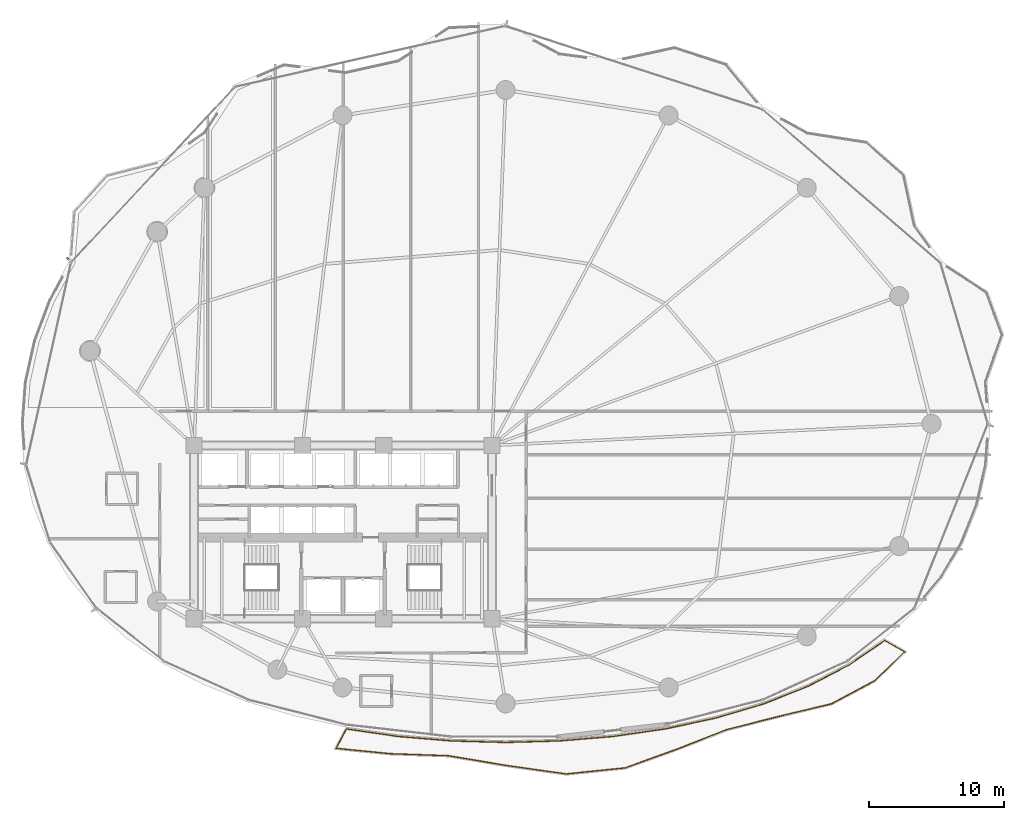
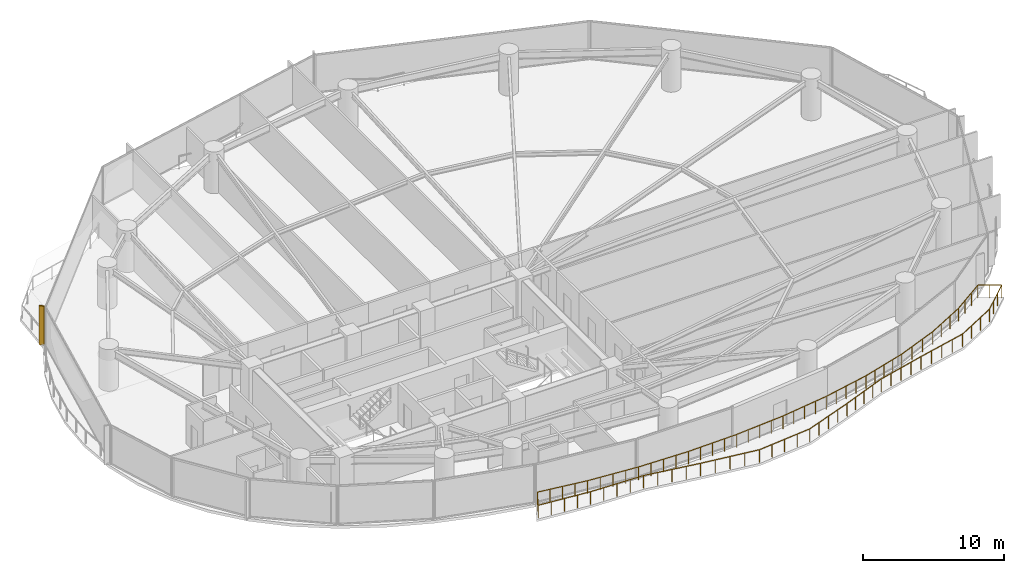
# One storey, part 32 of 34: 1 railing, 1 shading device.
"""IFC4 building model written with IfcOpenShell, lengths in metres."""

from ifc_helpers import new_model, si_unit, direction, frame, origin, origin_2d, place, context, subcontext, project, spatial, rectangle, extrude, material, type_object, element, save


model = new_model("IFC4")

# Units and contexts
model_context = context("Model", 3, precision=1e-05, world=origin(), true_north=direction((0.0, 1.0)))
body_context = subcontext(model_context, "Body", "Model", "MODEL_VIEW")
ifc_project = project(units=[si_unit("LENGTHUNIT", "METRE"), si_unit("AREAUNIT", "SQUARE_METRE"), si_unit("VOLUMEUNIT", "CUBIC_METRE"), si_unit("PLANEANGLEUNIT", "RADIAN"), si_unit("MASSUNIT", "GRAM", prefix="KILO")], contexts=[model_context])

# Site, building, storey
site_placement = place(None, origin())
site = spatial("IfcSite", under=ifc_project, at=site_placement, CompositionType="ELEMENT")
building_placement = place(site_placement, origin())
building = spatial("IfcBuilding", under=site, at=building_placement, Name="Kazevale Care Tower and Concert Hall", CompositionType="ELEMENT")
storey_placement = place(building_placement, frame((0.0, 0.0, 67.199951171875)))
storey = spatial("IfcBuildingStorey", under=building, at=storey_placement, Name="L17", CompositionType="ELEMENT", Elevation=67.199951171875)

# Railing
ifc_material_1 = material(Name="Anodised Bronze Aluminium and Laminated Glass", Category="aluminium")
railing_type = type_object("IfcRailingType", Name="Balcony and Terrace Balustrade 1120", PredefinedType="BALUSTRADE", material=ifc_material_1)
railing_placement = place(storey_placement, frame((33.239990234375, 15.469970703125, 0.0)))
element("IfcRailing", 1, at=railing_placement, inside=storey, type_object=railing_type, Name="rail:L17:balcony", PredefinedType="BALUSTRADE", context=body_context, shape_type="SweptSolid", body=[
    extrude(rectangle(XDim=0.048095703125, YDim=0.048095703125, at=origin_2d()), frame((0.0, 0.0, 1.09619140625), z_axis=(0.98954153526, -0.144248223541, 0.0), x_axis=(0.144248223541, 0.98954153526, 0.0)), (0.0, 0.0, 1.0), 3.820068359375),
    extrude(rectangle(XDim=0.048095703125, YDim=0.048095703125, at=origin_2d()), frame((3.780029296875, -0.551025390625, 1.09619140625), z_axis=(0.996491809711, -0.083690341016, 0.0), x_axis=(0.083690341016, 0.996491809711, 0.0)), (0.0, 0.0, 1.0), 3.97900390625),
    extrude(rectangle(XDim=0.048095703125, YDim=0.048095703125, at=origin_2d()), frame((7.7451171875, -0.884033203125, 1.09619140625), z_axis=(0.999619139625, -0.027596660954, 0.0), x_axis=(0.027596660954, 0.999619139625, 0.0)), (0.0, 0.0, 1.0), 4.016357421875),
    extrude(rectangle(XDim=0.048095703125, YDim=0.048095703125, at=origin_2d()), frame((11.760009765625, -0.994873046875, 1.09619140625), z_axis=(0.999619139625, 0.027596660954, 0.0), x_axis=(-0.027596660954, 0.999619139625, 0.0)), (0.0, 0.0, 1.0), 4.016357421875),
    extrude(rectangle(XDim=0.048095703125, YDim=0.048095703125, at=origin_2d()), frame((15.77490234375, -0.884033203125, 1.09619140625), z_axis=(0.996491809711, 0.083690341016, 0.0), x_axis=(-0.083690341016, 0.996491809711, 0.0)), (0.0, 0.0, 1.0), 3.97900390625),
    extrude(rectangle(XDim=0.048095703125, YDim=0.048095703125, at=origin_2d()), frame((19.739990234375, -0.551025390625, 1.09619140625), z_axis=(0.989562148583, 0.144106745477, 0.0), x_axis=(-0.144106745477, 0.989562148583, 0.0)), (0.0, 0.0, 1.0), 3.90673828125),
    extrude(rectangle(XDim=0.048095703125, YDim=0.048095703125, at=origin_2d()), frame((23.60595703125, 0.011962890625, 1.09619140625), z_axis=(0.977622623243, 0.210366362622, 0.0), x_axis=(-0.210366362622, 0.977622623243, 0.0)), (0.0, 0.0, 1.0), 3.80322265625),
    extrude(rectangle(XDim=0.048095703125, YDim=0.048095703125, at=origin_2d()), frame((27.323974609375, 0.81201171875, 1.09619140625), z_axis=(0.958576059845, 0.28483668565, 0.0), x_axis=(-0.28483668565, 0.958576059845, 0.0)), (0.0, 0.0, 1.0), 3.67626953125),
    extrude(rectangle(XDim=0.048095703125, YDim=0.048095703125, at=origin_2d()), frame((30.847900390625, 1.859130859375, 1.09619140625), z_axis=(0.929364745906, 0.369162794803, 0.0), x_axis=(-0.369162794803, 0.929364745906, 0.0)), (0.0, 0.0, 1.0), 3.534912109375),
    extrude(rectangle(XDim=0.048095703125, YDim=0.048095703125, at=origin_2d()), frame((34.133056640625, 3.1640625, 1.09619140625), z_axis=(0.886249621896, 0.463207952965, 0.0), x_axis=(-0.463207952965, 0.886249621896, 0.0)), (0.0, 0.0, 1.0), 3.3916015625),
    extrude(rectangle(XDim=0.048095703125, YDim=0.048095703125, at=origin_2d()), frame((37.138916015625, 4.735107421875, 1.09619140625), z_axis=(0.825224295989, 0.564805153402, 0.0), x_axis=(-0.564805153402, 0.825224295989, 0.0)), (0.0, 0.0, 1.0), 3.17626953125),
    extrude(rectangle(XDim=0.048095703125, YDim=0.048095703125, at=origin_2d()), frame((39.760009765625, 6.529052734375, 1.09619140625), z_axis=(0.870189180508, -0.492717759094, 0.0), x_axis=(0.492717759094, 0.870189180508, 0.0)), (0.0, 0.0, 1.0), 1.692626953125),
    extrude(rectangle(XDim=0.048095703125, YDim=0.048095703125, at=origin_2d()), frame((41.23291015625, 5.695068359375, 1.09619140625), z_axis=(-0.722710221607, -0.691151166956, 0.0), x_axis=(0.691151166956, -0.722710221607, 0.0)), (0.0, 0.0, 1.0), 3.10205078125),
    extrude(rectangle(XDim=0.048095703125, YDim=0.048095703125, at=origin_2d()), frame((38.990966796875, 3.551025390625, 1.09619140625), z_axis=(-0.881847001508, -0.471535646511, 0.0), x_axis=(0.471535646511, -0.881847001508, 0.0)), (0.0, 0.0, 1.0), 3.596923828125),
    extrude(rectangle(XDim=0.048095703125, YDim=0.048095703125, at=origin_2d()), frame((35.819091796875, 1.85498046875, 1.09619140625), z_axis=(-0.972687952965, -0.232116664968, 0.0), x_axis=(0.232116664968, -0.972687952965, 0.0)), (0.0, 0.0, 1.0), 4.057861328125),
    extrude(rectangle(XDim=0.048095703125, YDim=0.048095703125, at=origin_2d()), frame((31.8720703125, 0.9130859375, 1.09619140625), z_axis=(-0.968673808328, -0.248336572134, 0.0), x_axis=(0.248336572134, -0.968673808328, 0.0)), (0.0, 0.0, 1.0), 3.938232421875),
    extrude(rectangle(XDim=0.048095703125, YDim=0.048095703125, at=origin_2d()), frame((28.05712890625, -0.06494140625, 1.09619140625), z_axis=(-0.930909303522, -0.365250419049, 0.0), x_axis=(0.365250419049, -0.930909303522, 0.0)), (0.0, 0.0, 1.0), 3.87158203125),
    extrude(rectangle(XDim=0.048095703125, YDim=0.048095703125, at=origin_2d()), frame((24.453125, -1.47900390625, 1.09619140625), z_axis=(-0.940399278042, -0.340072342094, 0.0), x_axis=(0.340072342094, -0.940399278042, 0.0)), (0.0, 0.0, 1.0), 4.10791015625),
    extrude(rectangle(XDim=0.048095703125, YDim=0.048095703125, at=origin_2d()), frame((20.590087890625, -2.8759765625, 1.09619140625), z_axis=(-0.994755732104, -0.102279193613, 0.0), x_axis=(0.102279193613, -0.994755732104, 0.0)), (0.0, 0.0, 1.0), 4.380126953125),
    extrude(rectangle(XDim=0.048095703125, YDim=0.048095703125, at=origin_2d()), frame((16.23291015625, -3.323974609375, 1.09619140625), z_axis=(-0.990053401239, 0.140692084694, 0.0), x_axis=(-0.140692084694, -0.990053401239, 0.0)), (0.0, 0.0, 1.0), 4.49951171875),
    extrude(rectangle(XDim=0.048095703125, YDim=0.048095703125, at=origin_2d()), frame((11.778076171875, -2.69091796875, 1.09619140625), z_axis=(-0.986227865849, 0.165392250795, 0.0), x_axis=(-0.165392250795, -0.986227865849, 0.0)), (0.0, 0.0, 1.0), 4.304443359375),
    extrude(rectangle(XDim=0.048095703125, YDim=0.048095703125, at=origin_2d()), frame((7.532958984375, -1.97900390625, 1.09619140625), z_axis=(-0.999405659265, 0.034472136989, 0.0), x_axis=(-0.034472136989, -0.999405659265, 0.0)), (0.0, 0.0, 1.0), 4.263427734375),
    extrude(rectangle(XDim=0.048095703125, YDim=0.048095703125, at=origin_2d()), frame((3.27197265625, -1.83203125, 1.09619140625), z_axis=(-0.99507534539, 0.099121425517, 0.0), x_axis=(-0.099121425517, -0.99507534539, 0.0)), (0.0, 0.0, 1.0), 4.046875),
    extrude(rectangle(XDim=0.048095703125, YDim=0.048095703125, at=origin_2d()), frame((-0.7548828125, -1.430908203125, 1.09619140625), z_axis=(0.466604517914, 0.884466067106, 0.0), x_axis=(-0.884466067106, 0.466604517914, 0.0)), (0.0, 0.0, 1.0), 1.617919921875),
    extrude(rectangle(XDim=0.0419921875, YDim=0.0419921875, at=origin_2d()), origin(), (0.0, 0.0, 1.0), 1.072021484375),
    extrude(rectangle(XDim=0.0419921875, YDim=0.0419921875, at=origin_2d()), frame((0.945068359375, -0.1376953125, 0.0)), (0.0, 0.0, 1.0), 1.072021484375),
    extrude(rectangle(XDim=0.0419921875, YDim=0.0419921875, at=origin_2d()), frame((1.89013671875, -0.275390625, 0.0)), (0.0, 0.0, 1.0), 1.072021484375),
    extrude(rectangle(XDim=0.0419921875, YDim=0.0419921875, at=origin_2d()), frame((2.8349609375, -0.413330078125, 0.0)), (0.0, 0.0, 1.0), 1.072021484375),
    extrude(rectangle(XDim=0.0419921875, YDim=0.0419921875, at=origin_2d()), frame((3.780029296875, -0.551025390625, 0.0)), (0.0, 0.0, 1.0), 1.072021484375),
    extrude(rectangle(XDim=0.0419921875, YDim=0.0419921875, at=origin_2d()), frame((4.771240234375, -0.63427734375, 0.0)), (0.0, 0.0, 1.0), 1.072021484375),
    extrude(rectangle(XDim=0.0419921875, YDim=0.0419921875, at=origin_2d()), frame((5.7626953125, -0.717529296875, 0.0)), (0.0, 0.0, 1.0), 1.072021484375),
    extrude(rectangle(XDim=0.0419921875, YDim=0.0419921875, at=origin_2d()), frame((6.75390625, -0.80078125, 0.0)), (0.0, 0.0, 1.0), 1.072021484375),
    extrude(rectangle(XDim=0.0419921875, YDim=0.0419921875, at=origin_2d()), frame((7.7451171875, -0.884033203125, 0.0)), (0.0, 0.0, 1.0), 1.072021484375),
    extrude(rectangle(XDim=0.0419921875, YDim=0.0419921875, at=origin_2d()), frame((8.748779296875, -0.91162109375, 0.0)), (0.0, 0.0, 1.0), 1.072021484375),
    extrude(rectangle(XDim=0.0419921875, YDim=0.0419921875, at=origin_2d()), frame((9.75244140625, -0.939453125, 0.0)), (0.0, 0.0, 1.0), 1.072021484375),
    extrude(rectangle(XDim=0.0419921875, YDim=0.0419921875, at=origin_2d()), frame((10.75634765625, -0.96728515625, 0.0)), (0.0, 0.0, 1.0), 1.072021484375),
    extrude(rectangle(XDim=0.0419921875, YDim=0.0419921875, at=origin_2d()), frame((11.760009765625, -0.994873046875, 0.0)), (0.0, 0.0, 1.0), 1.072021484375),
    extrude(rectangle(XDim=0.0419921875, YDim=0.0419921875, at=origin_2d()), frame((12.763671875, -0.96728515625, 0.0)), (0.0, 0.0, 1.0), 1.072021484375),
    extrude(rectangle(XDim=0.0419921875, YDim=0.0419921875, at=origin_2d()), frame((13.767578125, -0.939453125, 0.0)), (0.0, 0.0, 1.0), 1.072021484375),
    extrude(rectangle(XDim=0.0419921875, YDim=0.0419921875, at=origin_2d()), frame((14.771240234375, -0.91162109375, 0.0)), (0.0, 0.0, 1.0), 1.072021484375),
    extrude(rectangle(XDim=0.0419921875, YDim=0.0419921875, at=origin_2d()), frame((15.77490234375, -0.884033203125, 0.0)), (0.0, 0.0, 1.0), 1.072021484375),
    extrude(rectangle(XDim=0.0419921875, YDim=0.0419921875, at=origin_2d()), frame((16.76611328125, -0.80078125, 0.0)), (0.0, 0.0, 1.0), 1.072021484375),
    extrude(rectangle(XDim=0.0419921875, YDim=0.0419921875, at=origin_2d()), frame((17.75732421875, -0.717529296875, 0.0)), (0.0, 0.0, 1.0), 1.072021484375),
    extrude(rectangle(XDim=0.0419921875, YDim=0.0419921875, at=origin_2d()), frame((18.748779296875, -0.63427734375, 0.0)), (0.0, 0.0, 1.0), 1.072021484375),
    extrude(rectangle(XDim=0.0419921875, YDim=0.0419921875, at=origin_2d()), frame((19.739990234375, -0.551025390625, 0.0)), (0.0, 0.0, 1.0), 1.072021484375),
    extrude(rectangle(XDim=0.0419921875, YDim=0.0419921875, at=origin_2d()), frame((20.70654296875, -0.41015625, 0.0)), (0.0, 0.0, 1.0), 1.072021484375),
    extrude(rectangle(XDim=0.0419921875, YDim=0.0419921875, at=origin_2d()), frame((21.6728515625, -0.26953125, 0.0)), (0.0, 0.0, 1.0), 1.072021484375),
    extrude(rectangle(XDim=0.0419921875, YDim=0.0419921875, at=origin_2d()), frame((22.639404296875, -0.12890625, 0.0)), (0.0, 0.0, 1.0), 1.072021484375),
    extrude(rectangle(XDim=0.0419921875, YDim=0.0419921875, at=origin_2d()), frame((23.60595703125, 0.011962890625, 0.0)), (0.0, 0.0, 1.0), 1.072021484375),
    extrude(rectangle(XDim=0.0419921875, YDim=0.0419921875, at=origin_2d()), frame((24.535400390625, 0.2119140625, 0.0)), (0.0, 0.0, 1.0), 1.072021484375),
    extrude(rectangle(XDim=0.0419921875, YDim=0.0419921875, at=origin_2d()), frame((25.46484375, 0.412109375, 0.0)), (0.0, 0.0, 1.0), 1.072021484375),
    extrude(rectangle(XDim=0.0419921875, YDim=0.0419921875, at=origin_2d()), frame((26.39453125, 0.612060546875, 0.0)), (0.0, 0.0, 1.0), 1.072021484375),
    extrude(rectangle(XDim=0.0419921875, YDim=0.0419921875, at=origin_2d()), frame((27.323974609375, 0.81201171875, 0.0)), (0.0, 0.0, 1.0), 1.072021484375),
    extrude(rectangle(XDim=0.0419921875, YDim=0.0419921875, at=origin_2d()), frame((28.205078125, 1.07373046875, 0.0)), (0.0, 0.0, 1.0), 1.072021484375),
    extrude(rectangle(XDim=0.0419921875, YDim=0.0419921875, at=origin_2d()), frame((29.0859375, 1.33544921875, 0.0)), (0.0, 0.0, 1.0), 1.072021484375),
    extrude(rectangle(XDim=0.0419921875, YDim=0.0419921875, at=origin_2d()), frame((29.966796875, 1.597412109375, 0.0)), (0.0, 0.0, 1.0), 1.072021484375),
    extrude(rectangle(XDim=0.0419921875, YDim=0.0419921875, at=origin_2d()), frame((30.847900390625, 1.859130859375, 0.0)), (0.0, 0.0, 1.0), 1.072021484375),
    extrude(rectangle(XDim=0.0419921875, YDim=0.0419921875, at=origin_2d()), frame((31.94287109375, 2.294189453125, 0.0)), (0.0, 0.0, 1.0), 1.072021484375),
    extrude(rectangle(XDim=0.0419921875, YDim=0.0419921875, at=origin_2d()), frame((33.0380859375, 2.72900390625, 0.0)), (0.0, 0.0, 1.0), 1.072021484375),
    extrude(rectangle(XDim=0.0419921875, YDim=0.0419921875, at=origin_2d()), frame((34.133056640625, 3.1640625, 0.0)), (0.0, 0.0, 1.0), 1.072021484375),
    extrude(rectangle(XDim=0.0419921875, YDim=0.0419921875, at=origin_2d()), frame((35.135009765625, 3.687744140625, 0.0)), (0.0, 0.0, 1.0), 1.072021484375),
    extrude(rectangle(XDim=0.0419921875, YDim=0.0419921875, at=origin_2d()), frame((36.136962890625, 4.21142578125, 0.0)), (0.0, 0.0, 1.0), 1.072021484375),
    extrude(rectangle(XDim=0.0419921875, YDim=0.0419921875, at=origin_2d()), frame((37.138916015625, 4.735107421875, 0.0)), (0.0, 0.0, 1.0), 1.072021484375),
    extrude(rectangle(XDim=0.0419921875, YDim=0.0419921875, at=origin_2d()), frame((38.0126953125, 5.3330078125, 0.0)), (0.0, 0.0, 1.0), 1.072021484375),
    extrude(rectangle(XDim=0.0419921875, YDim=0.0419921875, at=origin_2d()), frame((38.88623046875, 5.93115234375, 0.0)), (0.0, 0.0, 1.0), 1.072021484375),
    extrude(rectangle(XDim=0.0419921875, YDim=0.0419921875, at=origin_2d()), frame((39.760009765625, 6.529052734375, 0.0)), (0.0, 0.0, 1.0), 1.072021484375),
    extrude(rectangle(XDim=0.0419921875, YDim=0.0419921875, at=origin_2d()), frame((40.49658203125, 6.112060546875, 0.0)), (0.0, 0.0, 1.0), 1.072021484375),
    extrude(rectangle(XDim=0.0419921875, YDim=0.0419921875, at=origin_2d()), frame((41.23291015625, 5.695068359375, 0.0)), (0.0, 0.0, 1.0), 1.072021484375),
    extrude(rectangle(XDim=0.0419921875, YDim=0.0419921875, at=origin_2d()), frame((40.485595703125, 4.98046875, 0.0)), (0.0, 0.0, 1.0), 1.072021484375),
    extrude(rectangle(XDim=0.0419921875, YDim=0.0419921875, at=origin_2d()), frame((39.73828125, 4.265625, 0.0)), (0.0, 0.0, 1.0), 1.072021484375),
    extrude(rectangle(XDim=0.0419921875, YDim=0.0419921875, at=origin_2d()), frame((38.990966796875, 3.551025390625, 0.0)), (0.0, 0.0, 1.0), 1.072021484375),
    extrude(rectangle(XDim=0.0419921875, YDim=0.0419921875, at=origin_2d()), frame((37.93359375, 2.985595703125, 0.0)), (0.0, 0.0, 1.0), 1.072021484375),
    extrude(rectangle(XDim=0.0419921875, YDim=0.0419921875, at=origin_2d()), frame((36.87646484375, 2.42041015625, 0.0)), (0.0, 0.0, 1.0), 1.072021484375),
    extrude(rectangle(XDim=0.0419921875, YDim=0.0419921875, at=origin_2d()), frame((35.819091796875, 1.85498046875, 0.0)), (0.0, 0.0, 1.0), 1.072021484375),
    extrude(rectangle(XDim=0.0419921875, YDim=0.0419921875, at=origin_2d()), frame((34.832275390625, 1.61962890625, 0.0)), (0.0, 0.0, 1.0), 1.072021484375),
    extrude(rectangle(XDim=0.0419921875, YDim=0.0419921875, at=origin_2d()), frame((33.845703125, 1.384033203125, 0.0)), (0.0, 0.0, 1.0), 1.072021484375),
    extrude(rectangle(XDim=0.0419921875, YDim=0.0419921875, at=origin_2d()), frame((32.85888671875, 1.1484375, 0.0)), (0.0, 0.0, 1.0), 1.072021484375),
    extrude(rectangle(XDim=0.0419921875, YDim=0.0419921875, at=origin_2d()), frame((31.8720703125, 0.9130859375, 0.0)), (0.0, 0.0, 1.0), 1.072021484375),
    extrude(rectangle(XDim=0.0419921875, YDim=0.0419921875, at=origin_2d()), frame((30.91845703125, 0.66845703125, 0.0)), (0.0, 0.0, 1.0), 1.072021484375),
    extrude(rectangle(XDim=0.0419921875, YDim=0.0419921875, at=origin_2d()), frame((29.964599609375, 0.424072265625, 0.0)), (0.0, 0.0, 1.0), 1.072021484375),
    extrude(rectangle(XDim=0.0419921875, YDim=0.0419921875, at=origin_2d()), frame((29.0107421875, 0.1796875, 0.0)), (0.0, 0.0, 1.0), 1.072021484375),
    extrude(rectangle(XDim=0.0419921875, YDim=0.0419921875, at=origin_2d()), frame((28.05712890625, -0.06494140625, 0.0)), (0.0, 0.0, 1.0), 1.072021484375),
    extrude(rectangle(XDim=0.0419921875, YDim=0.0419921875, at=origin_2d()), frame((27.15625, -0.41845703125, 0.0)), (0.0, 0.0, 1.0), 1.072021484375),
    extrude(rectangle(XDim=0.0419921875, YDim=0.0419921875, at=origin_2d()), frame((26.255126953125, -0.77197265625, 0.0)), (0.0, 0.0, 1.0), 1.072021484375),
    extrude(rectangle(XDim=0.0419921875, YDim=0.0419921875, at=origin_2d()), frame((25.35400390625, -1.12548828125, 0.0)), (0.0, 0.0, 1.0), 1.072021484375),
    extrude(rectangle(XDim=0.0419921875, YDim=0.0419921875, at=origin_2d()), frame((24.453125, -1.47900390625, 0.0)), (0.0, 0.0, 1.0), 1.072021484375),
    extrude(rectangle(XDim=0.0419921875, YDim=0.0419921875, at=origin_2d()), frame((23.4873046875, -1.828125, 0.0)), (0.0, 0.0, 1.0), 1.072021484375),
    extrude(rectangle(XDim=0.0419921875, YDim=0.0419921875, at=origin_2d()), frame((22.521484375, -2.177490234375, 0.0)), (0.0, 0.0, 1.0), 1.072021484375),
    extrude(rectangle(XDim=0.0419921875, YDim=0.0419921875, at=origin_2d()), frame((21.555908203125, -2.52685546875, 0.0)), (0.0, 0.0, 1.0), 1.072021484375),
    extrude(rectangle(XDim=0.0419921875, YDim=0.0419921875, at=origin_2d()), frame((20.590087890625, -2.8759765625, 0.0)), (0.0, 0.0, 1.0), 1.072021484375),
    extrude(rectangle(XDim=0.0419921875, YDim=0.0419921875, at=origin_2d()), frame((19.500732421875, -2.988037109375, 0.0)), (0.0, 0.0, 1.0), 1.072021484375),
    extrude(rectangle(XDim=0.0419921875, YDim=0.0419921875, at=origin_2d()), frame((18.41162109375, -3.10009765625, 0.0)), (0.0, 0.0, 1.0), 1.072021484375),
    extrude(rectangle(XDim=0.0419921875, YDim=0.0419921875, at=origin_2d()), frame((17.322265625, -3.2119140625, 0.0)), (0.0, 0.0, 1.0), 1.072021484375),
    extrude(rectangle(XDim=0.0419921875, YDim=0.0419921875, at=origin_2d()), frame((16.23291015625, -3.323974609375, 0.0)), (0.0, 0.0, 1.0), 1.072021484375),
    extrude(rectangle(XDim=0.0419921875, YDim=0.0419921875, at=origin_2d()), frame((15.119140625, -3.165771484375, 0.0)), (0.0, 0.0, 1.0), 1.072021484375),
    extrude(rectangle(XDim=0.0419921875, YDim=0.0419921875, at=origin_2d()), frame((14.00537109375, -3.00732421875, 0.0)), (0.0, 0.0, 1.0), 1.072021484375),
    extrude(rectangle(XDim=0.0419921875, YDim=0.0419921875, at=origin_2d()), frame((12.891845703125, -2.84912109375, 0.0)), (0.0, 0.0, 1.0), 1.072021484375),
    extrude(rectangle(XDim=0.0419921875, YDim=0.0419921875, at=origin_2d()), frame((11.778076171875, -2.69091796875, 0.0)), (0.0, 0.0, 1.0), 1.072021484375),
    extrude(rectangle(XDim=0.0419921875, YDim=0.0419921875, at=origin_2d()), frame((10.716796875, -2.512939453125, 0.0)), (0.0, 0.0, 1.0), 1.072021484375),
    extrude(rectangle(XDim=0.0419921875, YDim=0.0419921875, at=origin_2d()), frame((9.655517578125, -2.3349609375, 0.0)), (0.0, 0.0, 1.0), 1.072021484375),
    extrude(rectangle(XDim=0.0419921875, YDim=0.0419921875, at=origin_2d()), frame((8.59423828125, -2.156982421875, 0.0)), (0.0, 0.0, 1.0), 1.072021484375),
    extrude(rectangle(XDim=0.0419921875, YDim=0.0419921875, at=origin_2d()), frame((7.532958984375, -1.97900390625, 0.0)), (0.0, 0.0, 1.0), 1.072021484375),
    extrude(rectangle(XDim=0.0419921875, YDim=0.0419921875, at=origin_2d()), frame((6.4677734375, -1.9423828125, 0.0)), (0.0, 0.0, 1.0), 1.072021484375),
    extrude(rectangle(XDim=0.0419921875, YDim=0.0419921875, at=origin_2d()), frame((5.40234375, -1.905517578125, 0.0)), (0.0, 0.0, 1.0), 1.072021484375),
    extrude(rectangle(XDim=0.0419921875, YDim=0.0419921875, at=origin_2d()), frame((4.337158203125, -1.86865234375, 0.0)), (0.0, 0.0, 1.0), 1.072021484375),
    extrude(rectangle(XDim=0.0419921875, YDim=0.0419921875, at=origin_2d()), frame((3.27197265625, -1.83203125, 0.0)), (0.0, 0.0, 1.0), 1.072021484375),
    extrude(rectangle(XDim=0.0419921875, YDim=0.0419921875, at=origin_2d()), frame((2.26513671875, -1.731689453125, 0.0)), (0.0, 0.0, 1.0), 1.072021484375),
    extrude(rectangle(XDim=0.0419921875, YDim=0.0419921875, at=origin_2d()), frame((1.258544921875, -1.63134765625, 0.0)), (0.0, 0.0, 1.0), 1.072021484375),
    extrude(rectangle(XDim=0.0419921875, YDim=0.0419921875, at=origin_2d()), frame((0.251953125, -1.53125, 0.0)), (0.0, 0.0, 1.0), 1.072021484375),
    extrude(rectangle(XDim=0.0419921875, YDim=0.0419921875, at=origin_2d()), frame((-0.7548828125, -1.430908203125, 0.0)), (0.0, 0.0, 1.0), 1.072021484375),
    extrude(rectangle(XDim=0.0419921875, YDim=0.0419921875, at=origin_2d()), frame((-0.37744140625, -0.71533203125, 0.0)), (0.0, 0.0, 1.0), 1.072021484375),
])

# Shading device
ifc_material_2 = material(Name="Honed Ochre Limestone", Category="masonry")
shading_device_type = type_object("IfcShadingDeviceType", Name="Vertical Honed Limestone Fin FIN-01", PredefinedType="USERDEFINED", material=ifc_material_2)
shading_device_placement = place(storey_placement, frame((12.747802734375, 50.140625, 0.0), z_axis=(0.0, 0.0, 1.0), x_axis=(-0.730400739673, 0.683018857343, 0.0)))
element("IfcShadingDevice", 2, at=shading_device_placement, inside=storey, type_object=shading_device_type, Name="cw:L17:f14:fin", ObjectType="FIN", PredefinedType="USERDEFINED", context=body_context, shape_type="SweptSolid", body=[
    extrude(rectangle(XDim=0.3798828125, YDim=0.1201171875, at=origin_2d()), origin(), (0.0, 0.0, 1.0), 3.360107421875),
])

save(model, "model.ifc")
